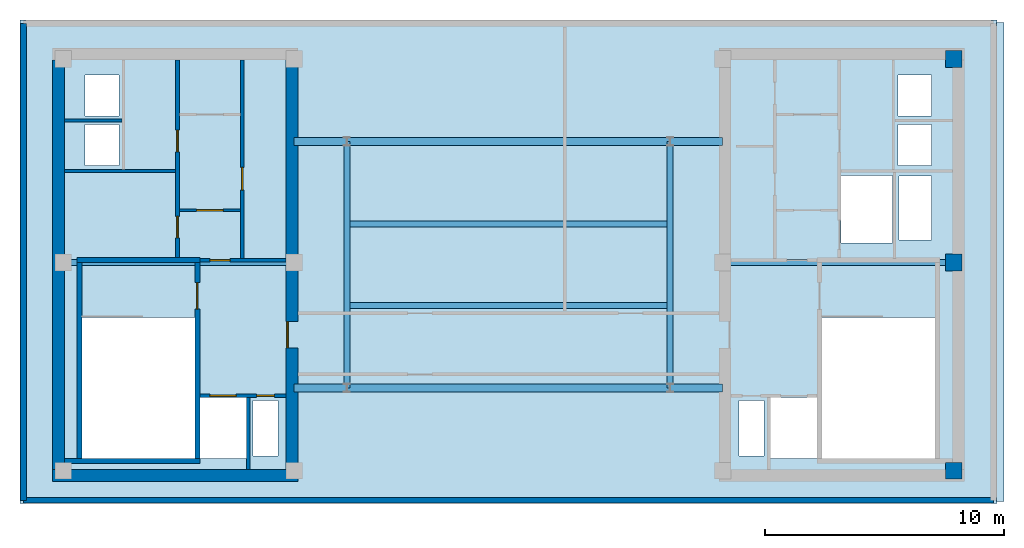
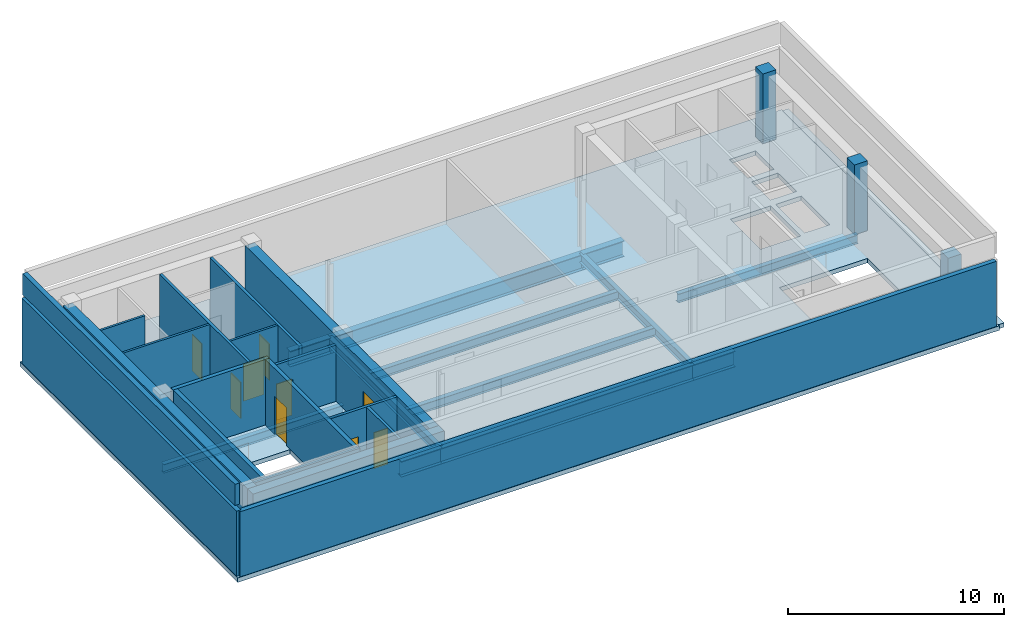
# One storey, part 2 of 4: 18 walls, 12 beams, 9 doors, 3 columns, 2 slabs, 9 openings.
"""IFC4 building model written with IfcOpenShell, lengths in metres."""

from ifc_helpers import new_model, si_unit, direction, frame, frame_2d, origin, origin_2d, place, context, subcontext, project, spatial, polyline, rectangle, i_section, outline, extrude, material, layer, layer_set, material_profile, profile_set, type_object, element, fill, save


model = new_model("IFC4")

# Units and contexts
model_context = context("Model", 3, precision=1e-05, world=origin(), true_north=direction((0.0, 1.0)))
body_context = subcontext(model_context, "Body", "Model", "MODEL_VIEW")
ifc_project = project(units=[si_unit("LENGTHUNIT", "METRE"), si_unit("AREAUNIT", "SQUARE_METRE"), si_unit("VOLUMEUNIT", "CUBIC_METRE"), si_unit("PLANEANGLEUNIT", "RADIAN"), si_unit("MASSUNIT", "GRAM", prefix="KILO")], contexts=[model_context])

# Site, building, storey
site_placement = place(None, origin())
site = spatial("IfcSite", under=ifc_project, at=site_placement, CompositionType="ELEMENT")
building_placement = place(site_placement, origin())
building = spatial("IfcBuilding", under=site, at=building_placement, Name="Velakula Bourse", CompositionType="ELEMENT")
storey_placement = place(building_placement, frame((0.0, 0.0, 308.550048828125)))
storey = spatial("IfcBuildingStorey", under=building, at=storey_placement, Name="L84", CompositionType="ELEMENT", Elevation=308.550048828125)

# Columns
ifc_material_1 = material(Name="Concrete M50 (fck 50 MPa)", Category="concrete")
ifc_material_profile_1 = material_profile(ifc_material_1, rectangle(XDim=0.699951171875, YDim=0.699951171875, at=origin_2d()), Name="Concrete M50 (fck 50 MPa)")
ifc_profile_set_1 = profile_set([ifc_material_profile_1], Name="Concrete M50 (fck 50 MPa)")
column_type = type_object("IfcColumnType", Name="COL-RC-700", PredefinedType="COLUMN", material=ifc_profile_set_1)
for number, where, z_axis, x_axis, name in (
    (1, (18.60009765625, -8.60009765625, 0.0), (0.0, 0.0, 1.0), (1.0, 0.0, 0.0), "L84 Core Boundary Column 10"),
    (2, (18.60009765625, 0.10009765625, 0.0), (0.0, 0.0, 1.0), (1.0, 0.0, 0.0), "L84 Core Boundary Column 11"),
    (3, (18.60009765625, 8.60009765625, 0.0), (0.0, 0.0, 1.0), (1.0, 0.0, 0.0), "L84 Core Boundary Column 12"),
):
    element("IfcColumn", number, at=place(storey_placement, frame(where, z_axis=z_axis, x_axis=x_axis)), inside=storey, type_object=column_type, Name=name, PredefinedType="COLUMN", context=body_context, shape_type="SweptSolid", body=[
        extrude(rectangle(XDim=0.699951171875, YDim=0.699951171875, at=origin_2d()), origin(), (0.0, 0.0, 1.0), 3.949951171875),
    ])

# Beams
ifc_material_2 = material(Name="Steel IS 2062 Grade 350 (E350)", Category="steel")
ifc_material_profile_2 = material_profile(ifc_material_2, i_section(OverallWidth=0.25, OverallDepth=0.5, WebThickness=0.010009765625, FlangeThickness=0.0146484375, at=origin_2d()), Name="Steel IS 2062 Grade 350 (E350)")
ifc_profile_set_2 = profile_set([ifc_material_profile_2], Name="Steel IS 2062 Grade 350 (E350)")
beam_type_1 = type_object("IfcBeamType", Name="BM-EDG-500", PredefinedType="BEAM", material=ifc_profile_set_2)
for number, where, z_axis, x_axis, name in (
    (4, (-18.60009765625, 0.10009765625, -0.5), (1.0, 0.0, 0.0), (0.0, 1.0, 0.0), "L84 Primary Backbone Girder CRW-M"),
    (5, (8.949951171875, 0.10009765625, -0.5), (1.0, 0.0, 0.0), (0.0, 1.0, 0.0), "L84 Primary Backbone Girder CRE-M"),
):
    element("IfcBeam", number, at=place(storey_placement, frame(where, z_axis=z_axis, x_axis=x_axis)), inside=storey, type_object=beam_type_1, Name=name, PredefinedType="BEAM", context=body_context, shape_type="SweptSolid", body=[
        extrude(i_section(OverallWidth=0.25, OverallDepth=0.5, WebThickness=0.010009765625, FlangeThickness=0.0146484375, at=origin_2d()), origin(), (0.0, 0.0, 1.0), 9.650146484375),
    ])
for number, where, z_axis, x_axis, name in (
    (6, (-6.75, -5.14990234375, -0.5), (0.0, 1.0, 0.0), (-1.0, 0.0, 0.0), "L84 Primary Backbone Girder SPN-W"),
    (7, (6.75, -5.14990234375, -0.5), (0.0, 1.0, 0.0), (-1.0, 0.0, 0.0), "L84 Primary Backbone Girder SPN-E"),
):
    element("IfcBeam", number, at=place(storey_placement, frame(where, z_axis=z_axis, x_axis=x_axis)), inside=storey, type_object=beam_type_1, Name=name, PredefinedType="BEAM", context=body_context, shape_type="SweptSolid", body=[
        extrude(i_section(OverallWidth=0.25, OverallDepth=0.5, WebThickness=0.010009765625, FlangeThickness=0.0146484375, at=origin_2d()), origin(), (0.0, 0.0, 1.0), 10.2998046875),
    ])
for number, where, z_axis, x_axis, name in (
    (8, (-6.75, -1.699951171875, -0.5), (1.0, 0.0, 0.0), (0.0, 1.0, 0.0), "L84 Crown Mechanical Floor Girder 1"),
    (9, (-6.75, 1.699951171875, -0.5), (1.0, 0.0, 0.0), (0.0, 1.0, 0.0), "L84 Crown Mechanical Floor Girder 2"),
):
    element("IfcBeam", number, at=place(storey_placement, frame(where, z_axis=z_axis, x_axis=x_axis)), inside=storey, type_object=beam_type_1, Name=name, PredefinedType="BEAM", context=body_context, shape_type="SweptSolid", body=[
        extrude(i_section(OverallWidth=0.25, OverallDepth=0.5, WebThickness=0.010009765625, FlangeThickness=0.0146484375, at=origin_2d()), origin(), (0.0, 0.0, 1.0), 13.5),
    ])
ifc_material_profile_3 = material_profile(ifc_material_2, i_section(OverallWidth=0.35009765625, OverallDepth=0.89990234375, WebThickness=0.02001953125, FlangeThickness=0.031982421875, at=origin_2d()), Name="Steel IS 2062 Grade 350 (E350)")
ifc_profile_set_3 = profile_set([ifc_material_profile_3], Name="Steel IS 2062 Grade 350 (E350)")
beam_type_2 = type_object("IfcBeamType", Name="BM-LNK-900", PredefinedType="BEAM", material=ifc_profile_set_3)
beam_1_placement = place(storey_placement, frame((-8.949951171875, -5.14990234375, -0.699951171875), z_axis=(1.0, 0.0, 0.0), x_axis=(0.0, 1.0, 0.0)))
element("IfcBeam", 10, at=beam_1_placement, inside=storey, type_object=beam_type_2, Name="L84 Primary Backbone Girder LNK-S1", PredefinedType="BEAM", context=body_context, shape_type="SweptSolid", body=[
    extrude(i_section(OverallWidth=0.35009765625, OverallDepth=0.89990234375, WebThickness=0.02001953125, FlangeThickness=0.031982421875, at=origin_2d()), origin(), (0.0, 0.0, 1.0), 2.199951171875),
])
beam_2_placement = place(storey_placement, frame((-6.75, -5.14990234375, -0.699951171875), z_axis=(1.0, 0.0, 0.0), x_axis=(0.0, 1.0, 0.0)))
element("IfcBeam", 11, at=beam_2_placement, inside=storey, type_object=beam_type_2, Name="L84 Primary Backbone Girder LNK-S2", PredefinedType="BEAM", context=body_context, shape_type="SweptSolid", body=[
    extrude(i_section(OverallWidth=0.35009765625, OverallDepth=0.89990234375, WebThickness=0.02001953125, FlangeThickness=0.031982421875, at=origin_2d()), origin(), (0.0, 0.0, 1.0), 13.5),
])
for number, where, z_axis, x_axis, name in (
    (12, (6.75, -5.14990234375, -0.699951171875), (1.0, 0.0, 0.0), (0.0, 1.0, 0.0), "L84 Primary Backbone Girder LNK-S3"),
    (13, (-8.949951171875, 5.14990234375, -0.699951171875), (1.0, 0.0, 0.0), (0.0, 1.0, 0.0), "L84 Primary Backbone Girder LNK-N1"),
):
    element("IfcBeam", number, at=place(storey_placement, frame(where, z_axis=z_axis, x_axis=x_axis)), inside=storey, type_object=beam_type_2, Name=name, PredefinedType="BEAM", context=body_context, shape_type="SweptSolid", body=[
        extrude(i_section(OverallWidth=0.35009765625, OverallDepth=0.89990234375, WebThickness=0.02001953125, FlangeThickness=0.031982421875, at=origin_2d()), origin(), (0.0, 0.0, 1.0), 2.199951171875),
    ])
beam_3_placement = place(storey_placement, frame((-6.75, 5.14990234375, -0.699951171875), z_axis=(1.0, 0.0, 0.0), x_axis=(0.0, 1.0, 0.0)))
element("IfcBeam", 14, at=beam_3_placement, inside=storey, type_object=beam_type_2, Name="L84 Primary Backbone Girder LNK-N2", PredefinedType="BEAM", context=body_context, shape_type="SweptSolid", body=[
    extrude(i_section(OverallWidth=0.35009765625, OverallDepth=0.89990234375, WebThickness=0.02001953125, FlangeThickness=0.031982421875, at=origin_2d()), origin(), (0.0, 0.0, 1.0), 13.5),
])
beam_4_placement = place(storey_placement, frame((6.75, 5.14990234375, -0.699951171875), z_axis=(1.0, 0.0, 0.0), x_axis=(0.0, 1.0, 0.0)))
element("IfcBeam", 15, at=beam_4_placement, inside=storey, type_object=beam_type_2, Name="L84 Primary Backbone Girder LNK-N3", PredefinedType="BEAM", context=body_context, shape_type="SweptSolid", body=[
    extrude(i_section(OverallWidth=0.35009765625, OverallDepth=0.89990234375, WebThickness=0.02001953125, FlangeThickness=0.031982421875, at=origin_2d()), origin(), (0.0, 0.0, 1.0), 2.199951171875),
])

# Slabs
ifc_layer_1 = layer(ifc_material_1, 0.239990234375, Name="Concrete M50 (fck 50 MPa)", Category="concrete")
ifc_layer_set_1 = layer_set([ifc_layer_1], Name="Concrete M50 (fck 50 MPa)")
slab_type_1 = type_object("IfcSlabType", Name="SLB-CRN-ROOF-240", PredefinedType="ROOF", material=ifc_layer_set_1)
slab_1_placement = place(storey_placement, frame((0.0, 0.0, -0.239990234375)))
element("IfcSlab", 16, at=slab_1_placement, inside=storey, type_object=slab_type_1, Name="L84 Crown Step 7 Closed Roof", PredefinedType="ROOF", context=body_context, shape_type="SweptSolid", body=[
    extrude(outline(polyline([(20.699951171875, 10.1201171875), (20.699951171875, -9.8798828125), (20.3798828125, -9.8798828125), (20.3798828125, 10.1201171875), (20.699951171875, 10.1201171875)])), origin(), (0.0, 0.0, 1.0), 0.239990234375),
])
ifc_layer_2 = layer(ifc_material_1, 0.25, Name="Concrete M50 (fck 50 MPa)", Category="concrete")
ifc_layer_set_2 = layer_set([ifc_layer_2], Name="Concrete M50 (fck 50 MPa)")
slab_type_2 = type_object("IfcSlabType", Name="SLB-POD-250", PredefinedType="FLOOR", material=ifc_layer_set_2)
slab_2_placement = place(storey_placement, frame((0.0, 0.0, -0.25)))
element("IfcSlab", 17, at=slab_2_placement, inside=storey, type_object=slab_type_2, Name="L84 Suspended Structural Floor Slab", PredefinedType="FLOOR", context=body_context, shape_type="SweptSolid", body=[
    extrude(outline(polyline([(-20.39990234375, -9.97998046875), (20.39990234375, -9.97998046875), (20.39990234375, 10.219970703125), (-20.39990234375, 10.219970703125), (-20.39990234375, -9.97998046875)]), holes=[polyline([(-17.820068359375, -8.10009765625), (-13.10009765625, -8.10009765625), (-13.10009765625, -2.199951171875), (-17.820068359375, -2.199951171875), (-17.820068359375, -8.10009765625)]), polyline([(13.10009765625, -8.10009765625), (17.820068359375, -8.10009765625), (17.820068359375, -2.199951171875), (13.10009765625, -2.199951171875), (13.10009765625, -8.10009765625)]), polyline([(-12.89990234375, -8.10009765625), (-10.949951171875, -8.10009765625), (-10.949951171875, -5.550048828125), (-12.89990234375, -5.550048828125), (-12.89990234375, -8.10009765625)]), polyline([(10.949951171875, -8.10009765625), (12.89990234375, -8.10009765625), (12.89990234375, -5.550048828125), (10.949951171875, -5.550048828125), (10.949951171875, -8.10009765625)]), polyline([(13.89990234375, 0.919921875), (16.050048828125, 0.919921875), (16.050048828125, 3.719970703125), (13.89990234375, 3.719970703125), (13.89990234375, 0.919921875)]), polyline([(-10.679931640625, -7.97998046875), (-9.6201171875, -7.97998046875), (-9.6201171875, -5.669921875), (-10.679931640625, -5.669921875), (-10.679931640625, -7.97998046875)]), polyline([(-17.679931640625, 4.139892578125), (-16.27001953125, 4.139892578125), (-16.27001953125, 5.85009765625), (-17.679931640625, 5.85009765625), (-17.679931640625, 4.139892578125)]), polyline([(-17.679931640625, 6.2099609375), (-16.27001953125, 6.2099609375), (-16.27001953125, 7.919921875), (-17.679931640625, 7.919921875), (-17.679931640625, 6.2099609375)]), polyline([(9.6201171875, -7.97998046875), (10.679931640625, -7.97998046875), (10.679931640625, -5.669921875), (9.6201171875, -5.669921875), (9.6201171875, -7.97998046875)]), polyline([(16.27001953125, 4.139892578125), (17.679931640625, 4.139892578125), (17.679931640625, 5.85009765625), (16.27001953125, 5.85009765625), (16.27001953125, 4.139892578125)]), polyline([(16.27001953125, 6.2099609375), (17.679931640625, 6.2099609375), (17.679931640625, 7.919921875), (16.27001953125, 7.919921875), (16.27001953125, 6.2099609375)]), polyline([(16.320068359375, 1.0400390625), (17.679931640625, 1.0400390625), (17.679931640625, 3.699951171875), (16.320068359375, 3.699951171875), (16.320068359375, 1.0400390625)])]), origin(), (0.0, 0.0, 1.0), 0.25),
])

# Wall, opening, door
ifc_layer_3 = layer(ifc_material_1, 0.2099609375, Name="Concrete M50 (fck 50 MPa)", Category="concrete")
ifc_layer_set_3 = layer_set([ifc_layer_3], Name="Concrete M50 (fck 50 MPa)")
wall_type_1 = type_object("IfcWallType", Name="WL-CORE-210", PredefinedType="SHEAR", material=ifc_layer_set_3)
wall_1_placement = place(storey_placement, frame((-12.9951171875, -8.10009765625, 0.0), z_axis=(0.0, 0.0, 1.0), x_axis=(0.0, 1.0, 0.0)))
wall_1 = element("IfcWall", 18, at=wall_1_placement, inside=storey, type_object=wall_type_1, Name="L84 Core W Stairwell Shear Wall IN", PredefinedType="SHEAR", context=body_context, shape_type="SweptSolid", body=[
    extrude(rectangle(XDim=8.2001953125, YDim=0.2099609375, at=frame_2d((4.10009765625, 0.0))), origin(), (0.0, 0.0, 1.0), 3.7099609375),
])
opening_1_placement = place(wall_1_placement, frame((6.25, 0.0, 0.0)))
opening_1 = element("IfcOpeningElement", 19, at=opening_1_placement, cuts=wall_1, Name="Opening D-STW1", PredefinedType="OPENING", context=body_context, shape_type="SweptSolid", body=[
    extrude(rectangle(XDim=1.10009765625, YDim=2.14990234375, at=frame_2d((0.550048828125, 1.074951171875))), frame((0.0, 0.114990234375, 0.0), z_axis=(0.0, -1.0, 0.0), x_axis=(1.0, 0.0, 0.0)), (0.0, 0.0, 1.0), 0.22998046875),
])
ifc_material_3 = material(Name="Galvanised painted hollow steel fire door", Category="steel")
door_type_1 = type_object("IfcDoorType", Name="DR-FD120-1100x2150", OperationType="NOTDEFINED", PredefinedType="DOOR", material=ifc_material_3)
door_1_placement = place(opening_1_placement, origin())
door_1 = element("IfcDoor", 20, at=door_1_placement, inside=storey, type_object=door_type_1, Name="L84 Stair ST-W1 Fire Door", OperationType="SINGLE_SWING_LEFT", OverallHeight=2.14990234375, OverallWidth=1.10009765625, PredefinedType="DOOR", context=body_context, shape_type="SweptSolid", body=[
    extrude(rectangle(XDim=1.10009765625, YDim=2.14990234375, at=frame_2d((0.550048828125, 1.074951171875))), frame((0.0, 0.02490234375, 0.0), z_axis=(0.0, -1.0, 0.0), x_axis=(1.0, 0.0, 0.0)), (0.0, 0.0, 1.0), 0.050048828125),
])
fill(opening_1, door_1)

# Walls
wall_2_placement = place(storey_placement, frame((-17.925048828125, -8.10009765625, 0.0), z_axis=(0.0, 0.0, 1.0), x_axis=(0.0, 1.0, 0.0)))
element("IfcWall", 21, at=wall_2_placement, inside=storey, type_object=wall_type_1, Name="L84 Core W Stairwell Shear Wall OUT", PredefinedType="SHEAR", context=body_context, shape_type="SweptSolid", body=[
    extrude(rectangle(XDim=8.2001953125, YDim=0.2099609375, at=frame_2d((4.10009765625, 0.0))), origin(), (0.0, 0.0, 1.0), 3.7099609375),
])
wall_3_placement = place(storey_placement, frame((-18.550048828125, -8.205078125, 0.0), z_axis=(0.0, 0.0, 1.0), x_axis=(1.0, 0.0, 0.0)))
element("IfcWall", 22, at=wall_3_placement, inside=storey, type_object=wall_type_1, Name="L84 Core W Stairwell Shear Wall S", PredefinedType="SHEAR", context=body_context, shape_type="SweptSolid", body=[
    extrude(rectangle(XDim=5.66015625, YDim=0.2099609375, at=frame_2d((2.830078125, 0.0))), origin(), (0.0, 0.0, 1.0), 3.7099609375),
])
wall_4_placement = place(storey_placement, frame((-12.889892578125, 0.205078125, 0.0), z_axis=(0.0, 0.0, 1.0), x_axis=(-1.0, 0.0, 0.0)))
element("IfcWall", 23, at=wall_4_placement, inside=storey, type_object=wall_type_1, Name="L84 Core W Stairwell Shear Wall N", PredefinedType="SHEAR", context=body_context, shape_type="SweptSolid", body=[
    extrude(rectangle(XDim=5.14013671875, YDim=0.2099609375, at=frame_2d((2.570068359375, 0.0))), origin(), (0.0, 0.0, 1.0), 3.7099609375),
])
ifc_layer_4 = layer(ifc_material_1, 0.5, Name="Concrete M50 (fck 50 MPa)", Category="concrete")
ifc_layer_set_4 = layer_set([ifc_layer_4], Name="Concrete M50 (fck 50 MPa)")
wall_type_2 = type_object("IfcWallType", Name="WL-CORE-500", PredefinedType="SHEAR", material=ifc_layer_set_4)
wall_5_placement = place(storey_placement, frame((-19.050048828125, -8.800048828125, 0.0), z_axis=(0.0, 0.0, 1.0), x_axis=(1.0, 0.0, 0.0)))
element("IfcWall", 24, at=wall_5_placement, inside=storey, type_object=wall_type_2, Name="L84 Core W Shear Wall S", PredefinedType="SHEAR", context=body_context, shape_type="SweptSolid", body=[
    extrude(rectangle(XDim=10.25, YDim=0.5, at=frame_2d((5.125, 0.0))), origin(), (0.0, 0.0, 1.0), 3.7099609375),
])
wall_6_placement = place(storey_placement, frame((-18.800048828125, -8.550048828125, 0.0), z_axis=(0.0, 0.0, 1.0), x_axis=(0.0, 1.0, 0.0)))
element("IfcWall", 25, at=wall_6_placement, inside=storey, type_object=wall_type_2, Name="L84 Core W Shear Wall W", PredefinedType="SHEAR", context=body_context, shape_type="SweptSolid", body=[
    extrude(rectangle(XDim=17.10009765625, YDim=0.5, at=frame_2d((8.550048828125, 0.0))), origin(), (0.0, 0.0, 1.0), 3.7099609375),
])

# Wall, opening, door
wall_7_placement = place(storey_placement, frame((-9.050048828125, -8.550048828125, 0.0), z_axis=(0.0, 0.0, 1.0), x_axis=(0.0, 1.0, 0.0)))
wall_7 = element("IfcWall", 26, at=wall_7_placement, inside=storey, type_object=wall_type_2, Name="L84 Core W Shear Wall E", PredefinedType="SHEAR", context=body_context, shape_type="SweptSolid", body=[
    extrude(rectangle(XDim=17.10009765625, YDim=0.5, at=frame_2d((8.550048828125, 0.0))), origin(), (0.0, 0.0, 1.0), 3.7099609375),
])
opening_2_placement = place(wall_7_placement, frame((5.080078125, 0.0, 0.0)))
opening_2 = element("IfcOpeningElement", 27, at=opening_2_placement, cuts=wall_7, Name="Opening D-FLW", PredefinedType="OPENING", context=body_context, shape_type="SweptSolid", body=[
    extrude(rectangle(XDim=1.10009765625, YDim=2.080078125, at=frame_2d((0.550048828125, 1.0400390625))), frame((0.0, 0.260009765625, 0.0), z_axis=(0.0, -1.0, 0.0), x_axis=(1.0, 0.0, 0.0)), (0.0, 0.0, 1.0), 0.52001953125),
])
door_type_2 = type_object("IfcDoorType", Name="DR-FD120-1100", OperationType="NOTDEFINED", PredefinedType="DOOR", material=ifc_material_3)
door_2_placement = place(opening_2_placement, origin())
door_2 = element("IfcDoor", 28, at=door_2_placement, inside=storey, type_object=door_type_2, Name="L84 Firefighting Lobby W Corridor Fire Door", OperationType="SINGLE_SWING_LEFT", OverallHeight=2.080078125, OverallWidth=1.10009765625, PredefinedType="DOOR", context=body_context, shape_type="SweptSolid", body=[
    extrude(rectangle(XDim=1.10009765625, YDim=2.080078125, at=frame_2d((0.550048828125, 1.0400390625))), frame((0.0, 0.205078125, 0.0), z_axis=(0.0, -1.0, 0.0), x_axis=(1.0, 0.0, 0.0)), (0.0, 0.0, 1.0), 0.050048828125),
])
fill(opening_2, door_2)

# Walls
ifc_material_4 = material(Name="Buff kilned clay facing brick masonry", Category="masonry")
ifc_layer_5 = layer(ifc_material_4, 0.239990234375, Name="Buff kilned clay facing brick masonry", Category="masonry")
ifc_layer_set_5 = layer_set([ifc_layer_5], Name="Buff kilned clay facing brick masonry")
wall_type_3 = type_object("IfcWallType", Name="WL-EXT-CRN-240", PredefinedType="STANDARD", material=ifc_layer_set_5)
wall_8_placement = place(storey_placement, frame((-20.260009765625, -9.840087890625, 0.0), z_axis=(0.0, 0.0, 1.0), x_axis=(1.0, 0.0, 0.0)))
element("IfcWall", 29, at=wall_8_placement, inside=storey, type_object=wall_type_3, Name="L84 Crown Brick Acoustic Wall S", PredefinedType="STANDARD", context=body_context, shape_type="SweptSolid", body=[
    extrude(rectangle(XDim=40.52001953125, YDim=0.239990234375, at=frame_2d((20.260009765625, 0.0))), origin(), (0.0, 0.0, 1.0), 3.68994140625),
])
wall_9_placement = place(storey_placement, frame((-20.260009765625, 10.080078125, 0.0), z_axis=(0.0, 0.0, 1.0), x_axis=(0.0, -1.0, 0.0)))
element("IfcWall", 30, at=wall_9_placement, inside=storey, type_object=wall_type_3, Name="L84 Crown Brick Acoustic Wall W", PredefinedType="STANDARD", context=body_context, shape_type="SweptSolid", body=[
    extrude(rectangle(XDim=19.920166015625, YDim=0.239990234375, at=frame_2d((9.9599609375, 0.0))), origin(), (0.0, 0.0, 1.0), 3.68994140625),
])
ifc_layer_6 = layer(ifc_material_4, 0.25, Name="Buff kilned clay facing brick masonry", Category="masonry")
ifc_layer_set_6 = layer_set([ifc_layer_6], Name="Buff kilned clay facing brick masonry")
wall_type_4 = type_object("IfcWallType", Name="WL-PAR-ROOF-250", PredefinedType="PARAPET", material=ifc_layer_set_6)
wall_10_placement = place(storey_placement, frame((-20.280029296875, -9.72998046875, 3.949951171875), z_axis=(0.0, 0.0, 1.0), x_axis=(0.0, 1.0, 0.0)))
element("IfcWall", 31, at=wall_10_placement, inside=storey, type_object=wall_type_4, Name="RF Closed Roof Perimeter Parapet 1", PredefinedType="PARAPET", context=body_context, shape_type="SweptSolid", body=[
    extrude(rectangle(XDim=19.699951171875, YDim=0.25, at=frame_2d((9.85009765625, 0.0))), origin(), (0.0, 0.0, 1.0), 1.199951171875),
])

# Wall, opening, door
ifc_material_5 = material(Name="Fire-rated double-layer gypsum drywall partition", Category="gypsum")
ifc_layer_7 = layer(ifc_material_5, 0.1201171875, Name="Fire-rated double-layer gypsum drywall partition", Category="gypsum")
ifc_layer_set_7 = layer_set([ifc_layer_7], Name="Fire-rated double-layer gypsum drywall partition")
wall_type_5 = type_object("IfcWallType", Name="WL-PART-120", PredefinedType="STANDARD", material=ifc_layer_set_7)
wall_11_placement = place(storey_placement, frame((-13.75, 2.280029296875, 0.0), z_axis=(0.0, 0.0, 1.0), x_axis=(1.0, 0.0, 0.0)))
wall_11 = element("IfcWall", 32, at=wall_11_placement, inside=storey, type_object=wall_type_5, Name="L84 Interior Partition WL-CRW-L84-LL-K3A", PredefinedType="STANDARD", context=body_context, shape_type="SweptSolid", body=[
    extrude(rectangle(XDim=2.550048828125, YDim=0.1201171875, at=frame_2d((1.27490234375, 0.0))), origin(), (0.0, 0.0, 1.0), 3.68994140625),
])
opening_3_placement = place(wall_11_placement, frame((0.72509765625, 0.0, 0.0)))
opening_3 = element("IfcOpeningElement", 33, at=opening_3_placement, cuts=wall_11, Name="Opening D-LK3", PredefinedType="OPENING", context=body_context, shape_type="SweptSolid", body=[
    extrude(rectangle(XDim=1.10009765625, YDim=2.10009765625, at=frame_2d((0.550048828125, 1.050048828125))), frame((0.0, 0.070068359375, 0.0), z_axis=(0.0, -1.0, 0.0), x_axis=(1.0, 0.0, 0.0)), (0.0, 0.0, 1.0), 0.14013671875),
])
ifc_material_6 = material(Name="Fire-rated hardwood flush architectural door", Category="wood")
door_type_3 = type_object("IfcDoorType", Name="DR-FD60-1100x2100", OperationType="NOTDEFINED", PredefinedType="DOOR", material=ifc_material_6)
door_3_placement = place(opening_3_placement, origin())
door_3 = element("IfcDoor", 34, at=door_3_placement, inside=storey, type_object=door_type_3, Name="L84 Core W Lift Lobby Vestibule Door A", OperationType="SINGLE_SWING_RIGHT", OverallHeight=2.10009765625, OverallWidth=1.10009765625, PredefinedType="DOOR", context=body_context, shape_type="SweptSolid", body=[
    extrude(rectangle(XDim=1.10009765625, YDim=2.10009765625, at=frame_2d((0.550048828125, 1.050048828125))), frame((0.0, 0.02490234375, 0.0), z_axis=(0.0, -1.0, 0.0), x_axis=(1.0, 0.0, 0.0)), (0.0, 0.0, 1.0), 0.050048828125),
])
fill(opening_3, door_3)

# Walls
wall_12_placement = place(storey_placement, frame((-18.550048828125, 3.919921875, 0.0), z_axis=(0.0, 0.0, 1.0), x_axis=(1.0, 0.0, 0.0)))
element("IfcWall", 35, at=wall_12_placement, inside=storey, type_object=wall_type_5, Name="L84 Interior Partition WL-CRW-L84-HI-S", PredefinedType="STANDARD", context=body_context, shape_type="SweptSolid", body=[
    extrude(rectangle(XDim=4.650146484375, YDim=0.1201171875, at=frame_2d((2.3251953125, 0.0))), origin(), (0.0, 0.0, 1.0), 3.68994140625),
])
wall_13_placement = place(storey_placement, frame((-18.550048828125, 6.030029296875, 0.0), z_axis=(0.0, 0.0, 1.0), x_axis=(1.0, 0.0, 0.0)))
element("IfcWall", 36, at=wall_13_placement, inside=storey, type_object=wall_type_5, Name="L84 Interior Partition WL-CRW-L84-RIS-MID", PredefinedType="STANDARD", context=body_context, shape_type="SweptSolid", body=[
    extrude(rectangle(XDim=2.400146484375, YDim=0.1201171875, at=frame_2d((1.2001953125, 0.0))), origin(), (0.0, 0.0, 1.0), 3.68994140625),
])

# Wall, openings, doors
ifc_material_7 = material(Name="Autoclaved aerated concrete blockwork masonry", Category="masonry")
ifc_layer_8 = layer(ifc_material_7, 0.14990234375, Name="Autoclaved aerated concrete blockwork masonry", Category="masonry")
ifc_layer_set_8 = layer_set([ifc_layer_8], Name="Autoclaved aerated concrete blockwork masonry")
wall_type_6 = type_object("IfcWallType", Name="WL-SHAFT-150", PredefinedType="STANDARD", material=ifc_layer_set_8)
wall_14_placement = place(storey_placement, frame((-12.89501953125, -5.47509765625, 0.0), z_axis=(0.0, 0.0, 1.0), x_axis=(1.0, 0.0, 0.0)))
wall_14 = element("IfcWall", 37, at=wall_14_placement, inside=storey, type_object=wall_type_6, Name="L84 Interior Partition WL-CRW-L84-FFL-N", PredefinedType="STANDARD", context=body_context, shape_type="SweptSolid", body=[
    extrude(rectangle(XDim=3.594970703125, YDim=0.14990234375, at=frame_2d((1.79736328125, 0.0))), origin(), (0.0, 0.0, 1.0), 3.68994140625),
])
opening_4_placement = place(wall_14_placement, frame((0.419921875, 0.0, 0.0)))
opening_4 = element("IfcOpeningElement", 38, at=opening_4_placement, cuts=wall_14, Name="Opening LD-FFL-1", PredefinedType="OPENING", context=body_context, shape_type="SweptSolid", body=[
    extrude(rectangle(XDim=1.10009765625, YDim=2.14990234375, at=frame_2d((0.550048828125, 1.074951171875))), frame((0.0, 0.0849609375, 0.0), z_axis=(0.0, -1.0, 0.0), x_axis=(1.0, 0.0, 0.0)), (0.0, 0.0, 1.0), 0.169921875),
])
opening_5_placement = place(wall_14_placement, frame((2.3701171875, 0.0, 0.0)))
opening_5 = element("IfcOpeningElement", 39, at=opening_5_placement, cuts=wall_14, Name="Opening D-RS1", PredefinedType="OPENING", context=body_context, shape_type="SweptSolid", body=[
    extrude(rectangle(XDim=0.75, YDim=2.050048828125, at=frame_2d((0.375, 1.02490234375))), frame((0.0, 0.0849609375, 0.0), z_axis=(0.0, -1.0, 0.0), x_axis=(1.0, 0.0, 0.0)), (0.0, 0.0, 1.0), 0.169921875),
])
door_type_4 = type_object("IfcDoorType", Name="DR-RISER-800", OperationType="NOTDEFINED", PredefinedType="DOOR", material=ifc_material_3)
door_4_placement = place(opening_5_placement, origin())
door_4 = element("IfcDoor", 40, at=door_4_placement, inside=storey, type_object=door_type_4, Name="L84 Fire Riser Access Door", OperationType="SINGLE_SWING_RIGHT", OverallHeight=2.050048828125, OverallWidth=0.75, PredefinedType="DOOR", context=body_context, shape_type="SweptSolid", body=[
    extrude(rectangle(XDim=0.75, YDim=2.050048828125, at=frame_2d((0.375, 1.02490234375))), frame((0.0, 0.02490234375, 0.0), z_axis=(0.0, -1.0, 0.0), x_axis=(1.0, 0.0, 0.0)), (0.0, 0.0, 1.0), 0.050048828125),
])
fill(opening_5, door_4)
ifc_material_8 = material(Name="Brushed grade 316 stainless steel", Category="steel")
door_type_5 = type_object("IfcDoorType", Name="DR-SLIDE-FFL-1100", OperationType="DOUBLE_DOOR_SLIDING", PredefinedType="DOOR", material=ifc_material_8)
door_5_placement = place(opening_4_placement, origin())
door_5 = element("IfcDoor", 41, at=door_5_placement, inside=storey, type_object=door_type_5, Name="L84 Firefighting Lift FFL-1 Sliding Landing Door", OperationType="DOUBLE_DOOR_SLIDING", OverallHeight=2.14990234375, OverallWidth=1.10009765625, PredefinedType="DOOR", context=body_context, shape_type="SweptSolid", body=[
    extrude(rectangle(XDim=1.10009765625, YDim=2.14990234375, at=frame_2d((0.550048828125, 1.074951171875))), frame((0.0, 0.02490234375, 0.0), z_axis=(0.0, -1.0, 0.0), x_axis=(1.0, 0.0, 0.0)), (0.0, 0.0, 1.0), 0.050048828125),
])
fill(opening_4, door_5)

# Wall
wall_15_placement = place(storey_placement, frame((-10.875, -8.550048828125, 0.0), z_axis=(0.0, 0.0, 1.0), x_axis=(0.0, 1.0, 0.0)))
element("IfcWall", 42, at=wall_15_placement, inside=storey, type_object=wall_type_6, Name="L84 Interior Partition WL-CRW-L84-FR-DIV", PredefinedType="STANDARD", context=body_context, shape_type="SweptSolid", body=[
    extrude(rectangle(XDim=3.0, YDim=0.14990234375, at=frame_2d((1.5, 0.0))), origin(), (0.0, 0.0, 1.0), 3.68994140625),
])

# Wall, opening, door
wall_16_placement = place(storey_placement, frame((-12.889892578125, 0.18994140625, 0.0), z_axis=(0.0, 0.0, 1.0), x_axis=(1.0, 0.0, 0.0)))
wall_16 = element("IfcWall", 43, at=wall_16_placement, inside=storey, type_object=wall_type_6, Name="L84 Interior Partition WL-CRW-L84-FF-TOP", PredefinedType="STANDARD", context=body_context, shape_type="SweptSolid", body=[
    extrude(rectangle(XDim=3.58984375, YDim=0.14990234375, at=frame_2d((1.794921875, 0.0))), origin(), (0.0, 0.0, 1.0), 3.18505859375),
])
opening_6_placement = place(wall_16_placement, frame((0.4150390625, 0.0, 0.0)))
opening_6 = element("IfcOpeningElement", 44, at=opening_6_placement, cuts=wall_16, Name="Opening D-FC1", PredefinedType="OPENING", context=body_context, shape_type="SweptSolid", body=[
    extrude(rectangle(XDim=0.85009765625, YDim=2.0400390625, at=frame_2d((0.425048828125, 1.02001953125))), frame((0.0, 0.0849609375, 0.0), z_axis=(0.0, -1.0, 0.0), x_axis=(1.0, 0.0, 0.0)), (0.0, 0.0, 1.0), 0.169921875),
])
door_type_6 = type_object("IfcDoorType", Name="DR-FD120-850", OperationType="NOTDEFINED", PredefinedType="DOOR", material=ifc_material_3)
door_6_placement = place(opening_6_placement, origin())
door_6 = element("IfcDoor", 45, at=door_6_placement, inside=storey, type_object=door_type_6, Name="L84 Firefighting Lobby Link Fire Door", OperationType="SINGLE_SWING_RIGHT", OverallHeight=2.0400390625, OverallWidth=0.85009765625, PredefinedType="DOOR", context=body_context, shape_type="SweptSolid", body=[
    extrude(rectangle(XDim=0.85009765625, YDim=2.0400390625, at=frame_2d((0.425048828125, 1.02001953125))), frame((0.0, 0.02490234375, 0.0), z_axis=(0.0, -1.0, 0.0), x_axis=(1.0, 0.0, 0.0)), (0.0, 0.0, 1.0), 0.050048828125),
])
fill(opening_6, door_6)

wall_17_placement = place(storey_placement, frame((-11.125, 0.27001953125, 0.0), z_axis=(0.0, 0.0, 1.0), x_axis=(0.0, 1.0, 0.0)))
wall_17 = element("IfcWall", 46, at=wall_17_placement, inside=storey, type_object=wall_type_6, Name="L84 Interior Partition WL-CRW-L84-BANK-F", PredefinedType="STANDARD", context=body_context, shape_type="SweptSolid", body=[
    extrude(rectangle(XDim=8.280029296875, YDim=0.14990234375, at=frame_2d((4.14013671875, 0.0))), origin(), (0.0, 0.0, 1.0), 3.68994140625),
])
opening_7_placement = place(wall_17_placement, frame((2.85009765625, 0.0, 0.0)))
opening_7 = element("IfcOpeningElement", 47, at=opening_7_placement, cuts=wall_17, Name="Opening D-RC4", PredefinedType="OPENING", context=body_context, shape_type="SweptSolid", body=[
    extrude(rectangle(XDim=0.949951171875, YDim=2.050048828125, at=frame_2d((0.47509765625, 1.02490234375))), frame((0.0, 0.0849609375, 0.0), z_axis=(0.0, -1.0, 0.0), x_axis=(1.0, 0.0, 0.0)), (0.0, 0.0, 1.0), 0.169921875),
])
door_type_7 = type_object("IfcDoorType", Name="DR-FD60-950x2050", OperationType="NOTDEFINED", PredefinedType="DOOR", material=ifc_material_6)
door_7_placement = place(opening_7_placement, origin())
door_7 = element("IfcDoor", 48, at=door_7_placement, inside=storey, type_object=door_type_7, Name="L84 Reclaimed Multi-Bay Archive Room Door", OperationType="SINGLE_SWING_RIGHT", OverallHeight=2.050048828125, OverallWidth=0.949951171875, PredefinedType="DOOR", context=body_context, shape_type="SweptSolid", body=[
    extrude(rectangle(XDim=0.949951171875, YDim=2.050048828125, at=frame_2d((0.47509765625, 1.02490234375))), frame((0.0, 0.02490234375, 0.0), z_axis=(0.0, -1.0, 0.0), x_axis=(1.0, 0.0, 0.0)), (0.0, 0.0, 1.0), 0.050048828125),
])
fill(opening_7, door_7)

# Wall, openings, doors
wall_18_placement = place(storey_placement, frame((-13.824951171875, 0.27001953125, 0.0), z_axis=(0.0, 0.0, 1.0), x_axis=(0.0, 1.0, 0.0)))
wall_18 = element("IfcWall", 49, at=wall_18_placement, inside=storey, type_object=wall_type_6, Name="L84 Interior Partition WL-CRW-L84-OUT-F", PredefinedType="STANDARD", context=body_context, shape_type="SweptSolid", body=[
    extrude(rectangle(XDim=8.280029296875, YDim=0.14990234375, at=frame_2d((4.14013671875, 0.0))), origin(), (0.0, 0.0, 1.0), 3.68994140625),
])
opening_8_placement = place(wall_18_placement, frame((4.449951171875, 0.0, 0.0)))
opening_8 = element("IfcOpeningElement", 50, at=opening_8_placement, cuts=wall_18, Name="Opening D-RC3", PredefinedType="OPENING", context=body_context, shape_type="SweptSolid", body=[
    extrude(rectangle(XDim=0.89990234375, YDim=2.050048828125, at=frame_2d((0.449951171875, 1.02490234375))), frame((0.0, 0.0849609375, 0.0), z_axis=(0.0, -1.0, 0.0), x_axis=(1.0, 0.0, 0.0)), (0.0, 0.0, 1.0), 0.169921875),
])
opening_9_placement = place(wall_18_placement, frame((0.85009765625, 0.0, 0.0)))
opening_9 = element("IfcOpeningElement", 51, at=opening_9_placement, cuts=wall_18, Name="Opening D-CR3", PredefinedType="OPENING", context=body_context, shape_type="SweptSolid", body=[
    extrude(rectangle(XDim=0.89990234375, YDim=2.050048828125, at=frame_2d((0.449951171875, 1.02490234375))), frame((0.0, 0.0849609375, 0.0), z_axis=(0.0, -1.0, 0.0), x_axis=(1.0, 0.0, 0.0)), (0.0, 0.0, 1.0), 0.169921875),
])
door_type_8 = type_object("IfcDoorType", Name="DR-FD60-900", OperationType="NOTDEFINED", PredefinedType="DOOR", material=ifc_material_6)
door_8_placement = place(opening_8_placement, origin())
door_8 = element("IfcDoor", 52, at=door_8_placement, inside=storey, type_object=door_type_8, Name="L84 Crown Lift Machine Plant Room Door", OperationType="SINGLE_SWING_LEFT", OverallHeight=2.050048828125, OverallWidth=0.89990234375, PredefinedType="DOOR", context=body_context, shape_type="SweptSolid", body=[
    extrude(rectangle(XDim=0.89990234375, YDim=2.050048828125, at=frame_2d((0.449951171875, 1.02490234375))), frame((0.0, 0.02490234375, 0.0), z_axis=(0.0, -1.0, 0.0), x_axis=(1.0, 0.0, 0.0)), (0.0, 0.0, 1.0), 0.050048828125),
])
fill(opening_8, door_8)
door_type_9 = type_object("IfcDoorType", Name="DR-INT-900", OperationType="NOTDEFINED", PredefinedType="DOOR", material=ifc_material_6)
door_9_placement = place(opening_9_placement, origin())
door_9 = element("IfcDoor", 53, at=door_9_placement, inside=storey, type_object=door_type_9, Name="L84 Core Stationery and Mail Room Door", OperationType="SINGLE_SWING_RIGHT", OverallHeight=2.050048828125, OverallWidth=0.89990234375, PredefinedType="DOOR", context=body_context, shape_type="SweptSolid", body=[
    extrude(rectangle(XDim=0.89990234375, YDim=2.050048828125, at=frame_2d((0.449951171875, 1.02490234375))), frame((0.0, 0.02490234375, 0.0), z_axis=(0.0, -1.0, 0.0), x_axis=(1.0, 0.0, 0.0)), (0.0, 0.0, 1.0), 0.050048828125),
])
fill(opening_9, door_9)

save(model, "model.ifc")
